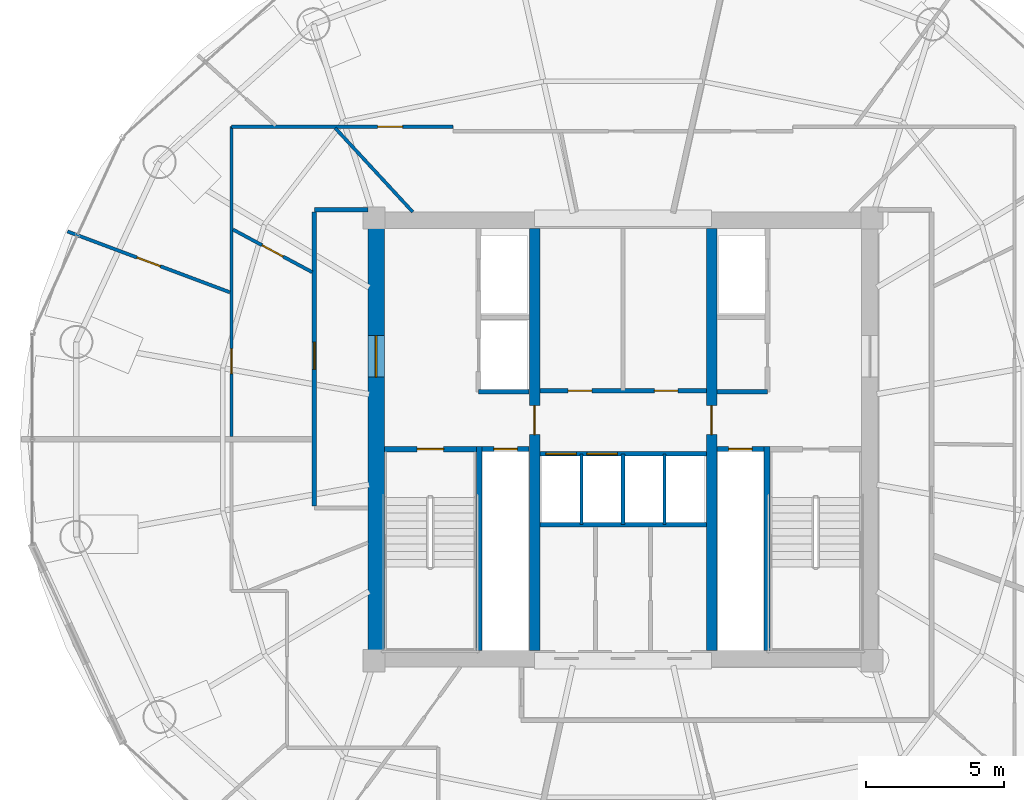
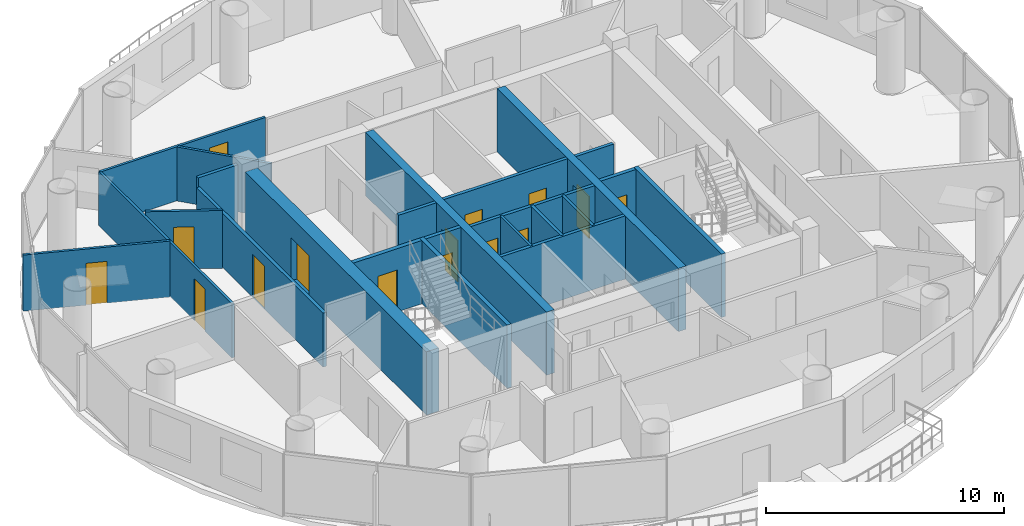
# One storey, part 21 of 26: 23 walls, 15 doors, 15 openings.
"""IFC4 building model written with IfcOpenShell, lengths in metres."""

from ifc_helpers import new_model, si_unit, direction, frame, frame_2d, origin, place, context, subcontext, project, spatial, rectangle, extrude, source, transform, mapped, material, layer, layer_set, type_object, element, fill, save


model = new_model("IFC4")

# Units and contexts
model_context = context("Model", 3, precision=1e-05, world=origin(), true_north=direction((-0.2419218956, 0.970295726276)))
body_context = subcontext(model_context, "Body", "Model", "MODEL_VIEW")
ifc_project = project(units=[si_unit("LENGTHUNIT", "METRE"), si_unit("AREAUNIT", "SQUARE_METRE"), si_unit("VOLUMEUNIT", "CUBIC_METRE"), si_unit("PLANEANGLEUNIT", "RADIAN"), si_unit("MASSUNIT", "GRAM", prefix="KILO")], contexts=[model_context])

# Site, building, storey
site_placement = place(None, origin())
site = spatial("IfcSite", under=ifc_project, at=site_placement, CompositionType="ELEMENT")
building_placement = place(site_placement, origin())
building = spatial("IfcBuilding", under=site, at=building_placement, Name="Cobrevalo Terracotta Tower", CompositionType="ELEMENT")
storey_placement = place(building_placement, frame((0.0, 0.0, 239.300048828125)))
storey = spatial("IfcBuildingStorey", under=building, at=storey_placement, Name="L63", CompositionType="ELEMENT", Elevation=239.300048828125)

# Wall, opening, door
ifc_material_1 = material(Name="Concrete C55", Category="concrete")
ifc_layer_1 = layer(ifc_material_1, 0.60009765625)
ifc_layer_set_1 = layer_set([ifc_layer_1], Name="Concrete C55")
wall_type_1 = type_object("IfcWallType", Name="Core shear wall 600 mm Concrete C55", PredefinedType="SHEAR", material=ifc_layer_set_1)
wall_1_placement = place(storey_placement, frame((29.074951171875, 19.175048828125, 0.0), z_axis=(0.0, 0.0, 1.0), x_axis=(0.0, 1.0, 0.0)))
wall_1 = element("IfcWall", 1, at=wall_1_placement, inside=storey, type_object=wall_type_1, Name="L63 west core shear wall", PredefinedType="SHEAR", context=body_context, shape_type="SweptSolid", body=[
    extrude(rectangle(XDim=15.25, YDim=0.60009765625, at=frame_2d((7.625, 0.0))), origin(), (0.0, 0.0, 1.0), 3.25),
])
opening_1_placement = place(wall_1_placement, frame((9.875, 0.0, 0.0)))
opening_1 = element("IfcOpeningElement", 2, at=opening_1_placement, cuts=wall_1, Name="Opening ID-14", PredefinedType="OPENING", context=body_context, shape_type="SweptSolid", body=[
    extrude(rectangle(XDim=1.5, YDim=2.199951171875, at=frame_2d((0.75, 1.10009765625))), frame((0.0, 0.31005859375, 0.0), z_axis=(0.0, -1.0, 0.0), x_axis=(1.0, 0.0, 0.0)), (0.0, 0.0, 1.0), 0.6201171875),
])
ifc_material_2 = material(Name="Galvanized fire-rated steel", Category="steel")
door_type_1 = type_object("IfcDoorType", Name="Core cross-lobby double fire door 1500x2200 EI 90", OperationType="NOTDEFINED", PredefinedType="DOOR", material=ifc_material_2)
shared_shape_1 = source(origin(), body_context, "Body", "SweptSolid", [
    extrude(rectangle(XDim=1.5, YDim=2.199951171875, at=frame_2d((0.75, 1.10009765625))), frame((0.0, 0.02490234375, 0.0), z_axis=(0.0, -1.0, 0.0), x_axis=(1.0, 0.0, 0.0)), (0.0, 0.0, 1.0), 0.050048828125),
])
door_1_placement = place(opening_1_placement, origin())
door_1 = element("IfcDoor", 3, at=door_1_placement, inside=storey, type_object=door_type_1, Name="L63 west firefighting lobby entrance door", OperationType="DOUBLE_DOOR_SINGLE_SWING", OverallHeight=2.199951171875, OverallWidth=1.5, PredefinedType="DOOR", context=body_context, shape_type="MappedRepresentation", body=[
    mapped(shared_shape_1, transform((0.0, 0.0, 0.0), scale=1.0)),
])
fill(opening_1, door_1)

# Walls
ifc_material_3 = material(Name="Gypsum board on steel stud", Category="steel")
ifc_layer_2 = layer(ifc_material_3, 0.159912109375)
ifc_layer_set_2 = layer_set([ifc_layer_2], Name="Gypsum board on steel stud")
wall_type_2 = type_object("IfcWallType", Name="Fire-rated corridor acoustic partition wall 160 mm", PredefinedType="PARTITIONING", material=ifc_layer_set_2)
for number, where, z_axis, x_axis, name in (
    (4, (32.77001953125, 28.52001953125, 0.0), (0.0, 0.0, 1.0), (1.0, 0.0, 0.0), "L63 interior partition IW-L63-FF1-S"),
    (5, (41.389892578125, 28.52001953125, 0.0), (0.0, 0.0, 1.0), (1.0, 0.0, 0.0), "L63 interior partition IW-L63-FF2-S"),
):
    element("IfcWall", number, at=place(storey_placement, frame(where, z_axis=z_axis, x_axis=x_axis)), inside=storey, type_object=wall_type_2, Name=name, PredefinedType="PARTITIONING", context=body_context, shape_type="SweptSolid", body=[
        extrude(rectangle(XDim=1.840087890625, YDim=0.159912109375, at=frame_2d((0.919921875, 0.0))), origin(), (0.0, 0.0, 1.0), 3.25),
    ])

# Wall, openings, doors
wall_2_placement = place(storey_placement, frame((34.989990234375, 28.56005859375, 0.0), z_axis=(0.0, 0.0, 1.0), x_axis=(1.0, 0.0, 0.0)))
wall_2 = element("IfcWall", 6, at=wall_2_placement, inside=storey, type_object=wall_type_2, Name="L63 interior partition IW-L63-LB-S", PredefinedType="PARTITIONING", context=body_context, shape_type="SweptSolid", body=[
    extrude(rectangle(XDim=6.02001953125, YDim=0.159912109375, at=frame_2d((3.010009765625, 0.0))), origin(), (0.0, 0.0, 1.0), 3.25),
])
opening_2_placement = place(wall_2_placement, frame((1.02490234375, 0.0, 0.0)))
opening_2 = element("IfcOpeningElement", 7, at=opening_2_placement, cuts=wall_2, Name="Opening ID-07", PredefinedType="OPENING", context=body_context, shape_type="SweptSolid", body=[
    extrude(rectangle(XDim=0.860107421875, YDim=2.10009765625, at=frame_2d((0.43017578125, 1.050048828125))), frame((0.0, 0.08984375, 0.0), z_axis=(0.0, -1.0, 0.0), x_axis=(1.0, 0.0, 0.0)), (0.0, 0.0, 1.0), 0.179931640625),
])
opening_3_placement = place(wall_2_placement, frame((4.139892578125, 0.0, 0.0)))
opening_3 = element("IfcOpeningElement", 8, at=opening_3_placement, cuts=wall_2, Name="Opening ID-22", PredefinedType="OPENING", context=body_context, shape_type="SweptSolid", body=[
    extrude(rectangle(XDim=0.85009765625, YDim=2.10009765625, at=frame_2d((0.425048828125, 1.050048828125))), frame((0.0, 0.08984375, 0.0), z_axis=(0.0, -1.0, 0.0), x_axis=(1.0, 0.0, 0.0)), (0.0, 0.0, 1.0), 0.179931640625),
])
ifc_material_4 = material(Name="Powder-coated steel", Category="steel")
door_type_2 = type_object("IfcDoorType", Name="Riser shaft & meter closet fire access door 850x2100 EI 60", OperationType="NOTDEFINED", PredefinedType="DOOR", material=ifc_material_4)
shared_shape_2 = source(origin(), body_context, "Body", "SweptSolid", [
    extrude(rectangle(XDim=0.85009765625, YDim=2.10009765625, at=frame_2d((0.425048828125, 1.050048828125))), frame((0.0, 0.02490234375, 0.0), z_axis=(0.0, -1.0, 0.0), x_axis=(1.0, 0.0, 0.0)), (0.0, 0.0, 1.0), 0.050048828125),
])
door_2_placement = place(opening_3_placement, origin())
door_2 = element("IfcDoor", 9, at=door_2_placement, inside=storey, type_object=door_type_2, Name="L63 core service door Floor Telecom and Metering Plant", OperationType="SINGLE_SWING_RIGHT", OverallHeight=2.10009765625, OverallWidth=0.85009765625, PredefinedType="DOOR", context=body_context, shape_type="MappedRepresentation", body=[
    mapped(shared_shape_2, transform((0.0, 0.0, 0.0), scale=1.0)),
])
fill(opening_3, door_2)
ifc_material_5 = material(Name="Fire-rated moisture-sealed timber", Category="wood")
door_type_3 = type_object("IfcDoorType", Name="Core & podium fire-rated accessible WC door 860x2100 EI 60", OperationType="NOTDEFINED", PredefinedType="DOOR", material=ifc_material_5)
shared_shape_3 = source(origin(), body_context, "Body", "SweptSolid", [
    extrude(rectangle(XDim=0.860107421875, YDim=2.10009765625, at=frame_2d((0.43017578125, 1.050048828125))), frame((0.0, 0.02490234375, 0.0), z_axis=(0.0, -1.0, 0.0), x_axis=(1.0, 0.0, 0.0)), (0.0, 0.0, 1.0), 0.050048828125),
])
door_3_placement = place(opening_2_placement, origin())
door_3 = element("IfcDoor", 10, at=door_3_placement, inside=storey, type_object=door_type_3, Name="L63 core service door Core Accessible Toilet WC", OperationType="SINGLE_SWING_LEFT", OverallHeight=2.10009765625, OverallWidth=0.860107421875, PredefinedType="DOOR", context=body_context, shape_type="MappedRepresentation", body=[
    mapped(shared_shape_3, transform((0.0, 0.0, 0.0), scale=1.0)),
])
fill(opening_2, door_3)

wall_3_placement = place(storey_placement, frame((34.989990234375, 26.280029296875, 0.0), z_axis=(0.0, 0.0, 1.0), x_axis=(1.0, 0.0, 0.0)))
wall_3 = element("IfcWall", 11, at=wall_3_placement, inside=storey, type_object=wall_type_2, Name="L63 interior partition IW-L63-MB-N", PredefinedType="PARTITIONING", context=body_context, shape_type="SweptSolid", body=[
    extrude(rectangle(XDim=6.02001953125, YDim=0.159912109375, at=frame_2d((3.010009765625, 0.0))), origin(), (0.0, 0.0, 1.0), 3.25),
])
opening_4_placement = place(wall_3_placement, frame((0.22509765625, 0.0, 0.0)))
opening_4 = element("IfcOpeningElement", 12, at=opening_4_placement, cuts=wall_3, Name="Opening LD-01", PredefinedType="OPENING", context=body_context, shape_type="SweptSolid", body=[
    extrude(rectangle(XDim=1.10009765625, YDim=2.199951171875, at=frame_2d((0.550048828125, 1.10009765625))), frame((0.0, 0.08984375, 0.0), z_axis=(0.0, -1.0, 0.0), x_axis=(1.0, 0.0, 0.0)), (0.0, 0.0, 1.0), 0.179931640625),
])
opening_5_placement = place(wall_3_placement, frame((1.705078125, 0.0, 0.0)))
opening_5 = element("IfcOpeningElement", 13, at=opening_5_placement, cuts=wall_3, Name="Opening LD-01", PredefinedType="OPENING", context=body_context, shape_type="SweptSolid", body=[
    extrude(rectangle(XDim=1.10009765625, YDim=2.199951171875, at=frame_2d((0.550048828125, 1.10009765625))), frame((0.0, 0.08984375, 0.0), z_axis=(0.0, -1.0, 0.0), x_axis=(1.0, 0.0, 0.0)), (0.0, 0.0, 1.0), 0.179931640625),
])
ifc_material_6 = material(Name="Brushed stainless steel", Category="steel")
door_type_4 = type_object("IfcDoorType", Name="Passenger lift landing bi-parting sliding door 1100x2200 EI 90", OperationType="DOUBLE_DOOR_SLIDING", PredefinedType="DOOR", material=ifc_material_6)
shared_shape_4 = source(origin(), body_context, "Body", "SweptSolid", [
    extrude(rectangle(XDim=1.10009765625, YDim=2.199951171875, at=frame_2d((0.550048828125, 1.10009765625))), frame((0.0, 0.02490234375, 0.0), z_axis=(0.0, -1.0, 0.0), x_axis=(1.0, 0.0, 0.0)), (0.0, 0.0, 1.0), 0.050048828125),
])
door_4_placement = place(opening_4_placement, origin())
door_4 = element("IfcDoor", 14, at=door_4_placement, inside=storey, type_object=door_type_4, Name="L63 lift landing door PL-M1", OperationType="DOUBLE_DOOR_SLIDING", OverallHeight=2.199951171875, OverallWidth=1.10009765625, PredefinedType="DOOR", context=body_context, shape_type="MappedRepresentation", body=[
    mapped(shared_shape_4, transform((0.0, 0.0, 0.0), scale=1.0)),
])
fill(opening_4, door_4)
door_5_placement = place(opening_5_placement, origin())
door_5 = element("IfcDoor", 15, at=door_5_placement, inside=storey, type_object=door_type_4, Name="L63 lift landing door PL-M2", OperationType="DOUBLE_DOOR_SLIDING", OverallHeight=2.199951171875, OverallWidth=1.10009765625, PredefinedType="DOOR", context=body_context, shape_type="MappedRepresentation", body=[
    mapped(shared_shape_4, transform((0.0, 0.0, 0.0), scale=1.0)),
])
fill(opening_5, door_5)

# Wall
wall_4_placement = place(storey_placement, frame((34.989990234375, 23.719970703125, 0.0), z_axis=(0.0, 0.0, 1.0), x_axis=(1.0, 0.0, 0.0)))
element("IfcWall", 16, at=wall_4_placement, inside=storey, type_object=wall_type_2, Name="L63 interior partition IW-L63-MB-S", PredefinedType="PARTITIONING", context=body_context, shape_type="SweptSolid", body=[
    extrude(rectangle(XDim=6.02001953125, YDim=0.159912109375, at=frame_2d((3.010009765625, 0.0))), origin(), (0.0, 0.0, 1.0), 3.25),
])

# Wall, opening, door
wall_5_placement = place(storey_placement, frame((26.844970703125, 24.39990234375, 0.0), z_axis=(0.0, 0.0, 1.0), x_axis=(0.0, 1.0, 0.0)))
wall_5 = element("IfcWall", 17, at=wall_5_placement, inside=storey, type_object=wall_type_2, Name="L63 interior partition IW-L63-COR-W", PredefinedType="PARTITIONING", context=body_context, shape_type="SweptSolid", body=[
    extrude(rectangle(XDim=10.625, YDim=0.159912109375, at=frame_2d((5.3125, 0.0))), origin(), (0.0, 0.0, 1.0), 2.77490234375),
])
opening_6_placement = place(wall_5_placement, frame((4.93603515625, 0.0, 0.0)))
opening_6 = element("IfcOpeningElement", 18, at=opening_6_placement, cuts=wall_5, Name="Opening ID-05", PredefinedType="OPENING", context=body_context, shape_type="SweptSolid", body=[
    extrude(rectangle(XDim=0.97998046875, YDim=2.199951171875, at=frame_2d((0.489990234375, 1.10009765625))), frame((0.0, 0.08984375, 0.0), z_axis=(0.0, -1.0, 0.0), x_axis=(1.0, 0.0, 0.0)), (0.0, 0.0, 1.0), 0.179931640625),
])
ifc_material_7 = material(Name="Solid hardwood timber", Category="wood")
door_type_5 = type_object("IfcDoorType", Name="Residence entrance fire-rated acoustic timber door 980x2200 EI 60", OperationType="NOTDEFINED", PredefinedType="DOOR", material=ifc_material_7)
shared_shape_5 = source(origin(), body_context, "Body", "SweptSolid", [
    extrude(rectangle(XDim=0.97998046875, YDim=2.199951171875, at=frame_2d((0.489990234375, 1.10009765625))), frame((0.0, 0.02490234375, 0.0), z_axis=(0.0, -1.0, 0.0), x_axis=(1.0, 0.0, 0.0)), (0.0, 0.0, 1.0), 0.050048828125),
])
door_6_placement = place(opening_6_placement, origin())
door_6 = element("IfcDoor", 19, at=door_6_placement, inside=storey, type_object=door_type_5, Name="Flat L63B fire-rated apartment entrance door", OperationType="SINGLE_SWING_RIGHT", OverallHeight=2.199951171875, OverallWidth=0.97998046875, PredefinedType="DOOR", context=body_context, shape_type="MappedRepresentation", body=[
    mapped(shared_shape_5, transform((0.0, 0.0, 0.0), scale=1.0)),
])
fill(opening_6, door_6)

# Wall
wall_6_placement = place(storey_placement, frame((26.844970703125, 35.10498046875, 0.0), z_axis=(0.0, 0.0, 1.0), x_axis=(1.0, 0.0, 0.0)))
element("IfcWall", 20, at=wall_6_placement, inside=storey, type_object=wall_type_2, Name="L63 interior partition IW-L63-COR-WN-CAP", PredefinedType="PARTITIONING", context=body_context, shape_type="SweptSolid", body=[
    extrude(rectangle(XDim=1.929931640625, YDim=0.159912109375, at=frame_2d((0.96484375, 0.0))), origin(), (0.0, 0.0, 1.0), 3.25),
])

# Wall, opening, door
ifc_layer_3 = layer(ifc_material_3, 0.179931640625)
ifc_layer_set_3 = layer_set([ifc_layer_3], Name="Gypsum board on steel stud")
wall_type_3 = type_object("IfcWallType", Name="Fire-rated shaft & lobby acoustic partition wall 180 mm", PredefinedType="PARTITIONING", material=ifc_layer_set_3)
wall_7_placement = place(storey_placement, frame((32.89990234375, 26.449951171875, 0.0), z_axis=(0.0, 0.0, 1.0), x_axis=(1.0, 0.0, 0.0)))
wall_7 = element("IfcWall", 21, at=wall_7_placement, inside=storey, type_object=wall_type_3, Name="L63 interior partition IW-L63-RSW-N", PredefinedType="PARTITIONING", context=body_context, shape_type="SweptSolid", body=[
    extrude(rectangle(XDim=1.710205078125, YDim=0.179931640625, at=frame_2d((0.85498046875, 0.0))), origin(), (0.0, 0.0, 1.0), 3.25),
])
opening_7_placement = place(wall_7_placement, frame((0.429931640625, 0.0, 0.0)))
opening_7 = element("IfcOpeningElement", 22, at=opening_7_placement, cuts=wall_7, Name="Opening ID-22", PredefinedType="OPENING", context=body_context, shape_type="SweptSolid", body=[
    extrude(rectangle(XDim=0.85009765625, YDim=2.10009765625, at=frame_2d((0.425048828125, 1.050048828125))), frame((0.0, 0.10009765625, 0.0), z_axis=(0.0, -1.0, 0.0), x_axis=(1.0, 0.0, 0.0)), (0.0, 0.0, 1.0), 0.199951171875),
])
door_7_placement = place(opening_7_placement, origin())
door_7 = element("IfcDoor", 23, at=door_7_placement, inside=storey, type_object=door_type_2, Name="L63 riser access door RSW", OperationType="SINGLE_SWING_LEFT", OverallHeight=2.10009765625, OverallWidth=0.85009765625, PredefinedType="DOOR", context=body_context, shape_type="MappedRepresentation", body=[
    mapped(shared_shape_2, transform((0.0, 0.0, 0.0), scale=1.0)),
])
fill(opening_7, door_7)

wall_8_placement = place(storey_placement, frame((41.389892578125, 26.449951171875, 0.0), z_axis=(0.0, 0.0, 1.0), x_axis=(1.0, 0.0, 0.0)))
wall_8 = element("IfcWall", 24, at=wall_8_placement, inside=storey, type_object=wall_type_3, Name="L63 interior partition IW-L63-RSE-N", PredefinedType="PARTITIONING", context=body_context, shape_type="SweptSolid", body=[
    extrude(rectangle(XDim=1.710205078125, YDim=0.179931640625, at=frame_2d((0.85498046875, 0.0))), origin(), (0.0, 0.0, 1.0), 3.25),
])
opening_8_placement = place(wall_8_placement, frame((0.429931640625, 0.0, 0.0)))
opening_8 = element("IfcOpeningElement", 25, at=opening_8_placement, cuts=wall_8, Name="Opening ID-22", PredefinedType="OPENING", context=body_context, shape_type="SweptSolid", body=[
    extrude(rectangle(XDim=0.85009765625, YDim=2.10009765625, at=frame_2d((0.425048828125, 1.050048828125))), frame((0.0, 0.10009765625, 0.0), z_axis=(0.0, -1.0, 0.0), x_axis=(1.0, 0.0, 0.0)), (0.0, 0.0, 1.0), 0.199951171875),
])
door_8_placement = place(opening_8_placement, origin())
door_8 = element("IfcDoor", 26, at=door_8_placement, inside=storey, type_object=door_type_2, Name="L63 riser access door RSE", OperationType="SINGLE_SWING_RIGHT", OverallHeight=2.10009765625, OverallWidth=0.85009765625, PredefinedType="DOOR", context=body_context, shape_type="MappedRepresentation", body=[
    mapped(shared_shape_2, transform((0.0, 0.0, 0.0), scale=1.0)),
])
fill(opening_8, door_8)

# Walls
ifc_material_8 = material(Name="Autoclaved aerated concrete block", Category="concrete")
ifc_layer_4 = layer(ifc_material_8, 0.1201171875)
ifc_layer_set_4 = layer_set([ifc_layer_4], Name="Autoclaved aerated concrete block")
wall_type_4 = type_object("IfcWallType", Name="Fire-rated wet-room & core service partition 120 mm", PredefinedType="PARTITIONING", material=ifc_layer_set_4)
for number, where, z_axis, x_axis, name in (
    (27, (36.5, 23.719970703125, 0.0), (0.0, 0.0, 1.0), (0.0, 1.0, 0.0), "L63 interior partition IW-L63-MB-D1"),
    (28, (39.5, 23.719970703125, 0.0), (0.0, 0.0, 1.0), (0.0, 1.0, 0.0), "L63 interior partition IW-L63-MB-D3"),
):
    element("IfcWall", number, at=place(storey_placement, frame(where, z_axis=z_axis, x_axis=x_axis)), inside=storey, type_object=wall_type_4, Name=name, PredefinedType="PARTITIONING", context=body_context, shape_type="SweptSolid", body=[
        extrude(rectangle(XDim=2.56005859375, YDim=0.1201171875, at=frame_2d((1.280029296875, 0.0))), origin(), (0.0, 0.0, 1.0), 3.25),
    ])

# Wall, opening, door
ifc_material_9 = material(Name="Concrete C50", Category="concrete")
ifc_layer_5 = layer(ifc_material_9, 0.3798828125)
ifc_layer_set_5 = layer_set([ifc_layer_5], Name="Concrete C50")
wall_type_5 = type_object("IfcWallType", Name="Internal core shear web wall 380 mm Concrete C50", PredefinedType="SHEAR", material=ifc_layer_set_5)
wall_9_placement = place(storey_placement, frame((34.800048828125, 19.175048828125, 0.0), z_axis=(0.0, 0.0, 1.0), x_axis=(0.0, 1.0, 0.0)))
wall_9 = element("IfcWall", 29, at=wall_9_placement, inside=storey, type_object=wall_type_5, Name="L63 internal core shear wall WEB-W", PredefinedType="SHEAR", context=body_context, shape_type="SweptSolid", body=[
    extrude(rectangle(XDim=15.25, YDim=0.3798828125, at=frame_2d((7.625, 0.0))), origin(), (0.0, 0.0, 1.0), 3.25),
])
opening_9_placement = place(wall_9_placement, frame((7.800048828125, 0.0, 0.0)))
opening_9 = element("IfcOpeningElement", 30, at=opening_9_placement, cuts=wall_9, Name="Opening ID-11", PredefinedType="OPENING", context=body_context, shape_type="SweptSolid", body=[
    extrude(rectangle(XDim=1.050048828125, YDim=2.14990234375, at=frame_2d((0.52490234375, 1.074951171875))), frame((0.0, 0.199951171875, 0.0), z_axis=(0.0, -1.0, 0.0), x_axis=(1.0, 0.0, 0.0)), (0.0, 0.0, 1.0), 0.39990234375),
])
door_type_6 = type_object("IfcDoorType", Name="Core concourse cross fire door 1050x2150 EI 90", OperationType="NOTDEFINED", PredefinedType="DOOR", material=ifc_material_2)
shared_shape_6 = source(origin(), body_context, "Body", "SweptSolid", [
    extrude(rectangle(XDim=1.050048828125, YDim=2.14990234375, at=frame_2d((0.52490234375, 1.074951171875))), frame((0.0, 0.02490234375, 0.0), z_axis=(0.0, -1.0, 0.0), x_axis=(1.0, 0.0, 0.0)), (0.0, 0.0, 1.0), 0.050048828125),
])
door_9_placement = place(opening_9_placement, origin())
door_9 = element("IfcDoor", 31, at=door_9_placement, inside=storey, type_object=door_type_6, Name="L63 west core concourse cross door", OperationType="SINGLE_SWING_LEFT", OverallHeight=2.14990234375, OverallWidth=1.050048828125, PredefinedType="DOOR", context=body_context, shape_type="MappedRepresentation", body=[
    mapped(shared_shape_6, transform((0.0, 0.0, 0.0), scale=1.0)),
])
fill(opening_9, door_9)

wall_10_placement = place(storey_placement, frame((41.199951171875, 19.175048828125, 0.0), z_axis=(0.0, 0.0, 1.0), x_axis=(0.0, 1.0, 0.0)))
wall_10 = element("IfcWall", 32, at=wall_10_placement, inside=storey, type_object=wall_type_5, Name="L63 internal core shear wall WEB-E", PredefinedType="SHEAR", context=body_context, shape_type="SweptSolid", body=[
    extrude(rectangle(XDim=15.25, YDim=0.3798828125, at=frame_2d((7.625, 0.0))), origin(), (0.0, 0.0, 1.0), 3.25),
])
opening_10_placement = place(wall_10_placement, frame((7.800048828125, 0.0, 0.0)))
opening_10 = element("IfcOpeningElement", 33, at=opening_10_placement, cuts=wall_10, Name="Opening ID-11", PredefinedType="OPENING", context=body_context, shape_type="SweptSolid", body=[
    extrude(rectangle(XDim=1.050048828125, YDim=2.14990234375, at=frame_2d((0.52490234375, 1.074951171875))), frame((0.0, 0.199951171875, 0.0), z_axis=(0.0, -1.0, 0.0), x_axis=(1.0, 0.0, 0.0)), (0.0, 0.0, 1.0), 0.39990234375),
])
door_10_placement = place(opening_10_placement, frame((1.050048828125, 0.0, 0.0), z_axis=(0.0, 0.0, 1.0), x_axis=(-1.0, 0.0, 0.0)))
door_10 = element("IfcDoor", 34, at=door_10_placement, inside=storey, type_object=door_type_6, Name="L63 east core concourse cross door", OperationType="SINGLE_SWING_RIGHT", OverallHeight=2.14990234375, OverallWidth=1.050048828125, PredefinedType="DOOR", context=body_context, shape_type="MappedRepresentation", body=[
    mapped(shared_shape_6, transform((0.0, 0.0, 0.0), scale=1.0)),
])
fill(opening_10, door_10)

# Wall
ifc_layer_6 = layer(ifc_material_8, 0.139892578125)
ifc_layer_set_6 = layer_set([ifc_layer_6], Name="Autoclaved aerated concrete block")
wall_type_6 = type_object("IfcWallType", Name="Moisture-resistant wet-room & core service partition 140 mm", PredefinedType="PARTITIONING", material=ifc_layer_set_6)
wall_11_placement = place(storey_placement, frame((38.0, 23.719970703125, 0.0), z_axis=(0.0, 0.0, 1.0), x_axis=(0.0, 1.0, 0.0)))
element("IfcWall", 35, at=wall_11_placement, inside=storey, type_object=wall_type_6, Name="L63 interior partition IW-L63-MB-D2", PredefinedType="PARTITIONING", context=body_context, shape_type="SweptSolid", body=[
    extrude(rectangle(XDim=2.56005859375, YDim=0.139892578125, at=frame_2d((1.280029296875, 0.0))), origin(), (0.0, 0.0, 1.0), 3.25),
])

# Wall, opening, door
ifc_layer_7 = layer(ifc_material_3, 0.1201171875)
ifc_layer_set_7 = layer_set([ifc_layer_7], Name="Gypsum board on steel stud")
wall_type_7 = type_object("IfcWallType", Name="Residential internal acoustic stud partition 120 mm", PredefinedType="PARTITIONING", material=ifc_layer_set_7)
wall_12_placement = place(storey_placement, frame((23.844970703125, 26.902099609375, 0.0), z_axis=(0.0, 0.0, 1.0), x_axis=(0.0, 1.0, 0.0)))
wall_12 = element("IfcWall", 36, at=wall_12_placement, inside=storey, type_object=wall_type_7, Name="L63 interior partition IW-L63-U2-RING0_0", PredefinedType="PARTITIONING", context=body_context, shape_type="SweptSolid", body=[
    extrude(rectangle(XDim=11.202880859375, YDim=0.1201171875, at=frame_2d((5.6015625, 0.0))), origin(), (0.0, 0.0, 1.0), 2.77490234375),
])
opening_11_placement = place(wall_12_placement, frame((2.2763671875, 0.0, 0.0)))
opening_11 = element("IfcOpeningElement", 37, at=opening_11_placement, cuts=wall_12, Name="Opening ID-12", PredefinedType="OPENING", context=body_context, shape_type="SweptSolid", body=[
    extrude(rectangle(XDim=0.89990234375, YDim=2.14990234375, at=frame_2d((0.449951171875, 1.074951171875))), frame((0.0, 0.070068359375, 0.0), z_axis=(0.0, -1.0, 0.0), x_axis=(1.0, 0.0, 0.0)), (0.0, 0.0, 1.0), 0.14013671875),
])
ifc_material_10 = material(Name="Engineered timber", Category="wood")
door_type_7 = type_object("IfcDoorType", Name="Internal residence & suite timber door 900x2150", OperationType="NOTDEFINED", PredefinedType="DOOR", material=ifc_material_10)
shared_shape_7 = source(origin(), body_context, "Body", "SweptSolid", [
    extrude(rectangle(XDim=0.89990234375, YDim=2.14990234375, at=frame_2d((0.449951171875, 1.074951171875))), frame((0.0, 0.02490234375, 0.0), z_axis=(0.0, -1.0, 0.0), x_axis=(1.0, 0.0, 0.0)), (0.0, 0.0, 1.0), 0.050048828125),
])
door_11_placement = place(opening_11_placement, origin())
door_11 = element("IfcDoor", 38, at=door_11_placement, inside=storey, type_object=door_type_7, Name="Flat L63B Penthouse Family Lounge internal door", OperationType="SINGLE_SWING_RIGHT", OverallHeight=2.14990234375, OverallWidth=0.89990234375, PredefinedType="DOOR", context=body_context, shape_type="MappedRepresentation", body=[
    mapped(shared_shape_7, transform((0.0, 0.0, 0.0), scale=1.0)),
])
fill(opening_11, door_11)

wall_13_placement = place(storey_placement, frame((23.844970703125, 38.10498046875, 0.0), z_axis=(0.0, 0.0, 1.0), x_axis=(1.0, 0.0, 0.0)))
wall_13 = element("IfcWall", 39, at=wall_13_placement, inside=storey, type_object=wall_type_7, Name="L63 interior partition IW-L63-U2-RING1_0", PredefinedType="PARTITIONING", context=body_context, shape_type="SweptSolid", body=[
    extrude(rectangle(XDim=8.010009765625, YDim=0.1201171875, at=frame_2d((4.0048828125, 0.0))), origin(), (0.0, 0.0, 1.0), 2.77490234375),
])
opening_12_placement = place(wall_13_placement, frame((5.287841796875, 0.0, 0.0)))
opening_12 = element("IfcOpeningElement", 40, at=opening_12_placement, cuts=wall_13, Name="Opening ID-12", PredefinedType="OPENING", context=body_context, shape_type="SweptSolid", body=[
    extrude(rectangle(XDim=0.89990234375, YDim=2.14990234375, at=frame_2d((0.449951171875, 1.074951171875))), frame((0.0, 0.070068359375, 0.0), z_axis=(0.0, -1.0, 0.0), x_axis=(1.0, 0.0, 0.0)), (0.0, 0.0, 1.0), 0.14013671875),
])
door_12_placement = place(opening_12_placement, frame((0.89990234375, 0.0, 0.0), z_axis=(0.0, 0.0, 1.0), x_axis=(-1.0, 0.0, 0.0)))
door_12 = element("IfcDoor", 41, at=door_12_placement, inside=storey, type_object=door_type_7, Name="Flat L63B Kitchen internal door", OperationType="SINGLE_SWING_LEFT", OverallHeight=2.14990234375, OverallWidth=0.89990234375, PredefinedType="DOOR", context=body_context, shape_type="MappedRepresentation", body=[
    mapped(shared_shape_7, transform((0.0, 0.0, 0.0), scale=1.0)),
])
fill(opening_12, door_12)

wall_14_placement = place(storey_placement, frame((23.786865234375, 32.1201171875, 0.0), z_axis=(0.0, 0.0, 1.0), x_axis=(-0.936540304423, 0.35055992097, 0.0)))
wall_14 = element("IfcWall", 42, at=wall_14_placement, inside=storey, type_object=wall_type_7, Name="L63 interior partition IW-L63-U2-ORAD2M1", PredefinedType="PARTITIONING", context=body_context, shape_type="SweptSolid", body=[
    extrude(rectangle(XDim=6.267822265625, YDim=0.1201171875, at=frame_2d((3.1337890625, 0.0))), origin(), (0.0, 0.0, 1.0), 2.880859375),
])
opening_13_placement = place(wall_14_placement, frame((2.68408203125, 0.0, 0.0)))
opening_13 = element("IfcOpeningElement", 43, at=opening_13_placement, cuts=wall_14, Name="Opening ID-12", PredefinedType="OPENING", context=body_context, shape_type="SweptSolid", body=[
    extrude(rectangle(XDim=0.89990234375, YDim=2.14990234375, at=frame_2d((0.449951171875, 1.074951171875))), frame((0.0, 0.070068359375, 0.0), z_axis=(0.0, -1.0, 0.0), x_axis=(1.0, 0.0, 0.0)), (0.0, 0.0, 1.0), 0.14013671875),
])
door_13_placement = place(opening_13_placement, frame((0.89990234375, 0.0, 0.0), z_axis=(0.0, 0.0, 1.0), x_axis=(-1.0, 0.0, 0.0)))
door_13 = element("IfcDoor", 44, at=door_13_placement, inside=storey, type_object=door_type_7, Name="Flat L63B Master Bedroom internal door", OperationType="SINGLE_SWING_LEFT", OverallHeight=2.14990234375, OverallWidth=0.89990234375, PredefinedType="DOOR", context=body_context, shape_type="MappedRepresentation", body=[
    mapped(shared_shape_7, transform((0.0, 0.0, 0.0), scale=1.0)),
])
fill(opening_13, door_13)

# Wall
wall_15_placement = place(storey_placement, frame((30.39599609375, 35.0263671875, 0.0), z_axis=(0.0, 0.0, 1.0), x_axis=(-0.678748871003, 0.73437045836, 0.0)))
element("IfcWall", 45, at=wall_15_placement, inside=storey, type_object=wall_type_7, Name="L63 interior partition IW-L63-U2-IRAD2", PredefinedType="PARTITIONING", context=body_context, shape_type="SweptSolid", body=[
    extrude(rectangle(XDim=4.13037109375, YDim=0.1201171875, at=frame_2d((2.065185546875, 0.0))), origin(), (0.0, 0.0, 1.0), 2.77490234375),
])

# Wall, opening, door
wall_16_placement = place(storey_placement, frame((26.764892578125, 32.845458984375, 0.0), z_axis=(0.0, 0.0, 1.0), x_axis=(-0.88057708661, 0.473902937886, 0.0)))
wall_16 = element("IfcWall", 46, at=wall_16_placement, inside=storey, type_object=wall_type_7, Name="L63 interior partition IW-L63-U2-IRAD3", PredefinedType="PARTITIONING", context=body_context, shape_type="SweptSolid", body=[
    extrude(rectangle(XDim=3.25390625, YDim=0.1201171875, at=frame_2d((1.626953125, 0.0))), origin(), (0.0, 0.0, 1.0), 2.968994140625),
])
opening_14_placement = place(wall_16_placement, frame((1.197021484375, 0.0, 0.0)))
opening_14 = element("IfcOpeningElement", 47, at=opening_14_placement, cuts=wall_16, Name="Opening ID-19", PredefinedType="OPENING", context=body_context, shape_type="SweptSolid", body=[
    extrude(rectangle(XDim=0.860107421875, YDim=2.14990234375, at=frame_2d((0.43017578125, 1.074951171875))), frame((0.0, 0.070068359375, 0.0), z_axis=(0.0, -1.0, 0.0), x_axis=(1.0, 0.0, 0.0)), (0.0, 0.0, 1.0), 0.14013671875),
])
ifc_material_11 = material(Name="Moisture-sealed timber", Category="wood")
door_type_8 = type_object("IfcDoorType", Name="Suite bathroom internal timber door 860x2150", OperationType="NOTDEFINED", PredefinedType="DOOR", material=ifc_material_11)
shared_shape_8 = source(origin(), body_context, "Body", "SweptSolid", [
    extrude(rectangle(XDim=0.860107421875, YDim=2.14990234375, at=frame_2d((0.43017578125, 1.074951171875))), frame((0.0, 0.02490234375, 0.0), z_axis=(0.0, -1.0, 0.0), x_axis=(1.0, 0.0, 0.0)), (0.0, 0.0, 1.0), 0.050048828125),
])
door_14_placement = place(opening_14_placement, frame((0.860107421875, 0.0, 0.0), z_axis=(0.0, 0.0, 1.0), x_axis=(-1.0, 0.0, 0.0)))
door_14 = element("IfcDoor", 48, at=door_14_placement, inside=storey, type_object=door_type_8, Name="Flat L63B Primary Bathroom internal door", OperationType="SINGLE_SWING_LEFT", OverallHeight=2.14990234375, OverallWidth=0.860107421875, PredefinedType="DOOR", context=body_context, shape_type="MappedRepresentation", body=[
    mapped(shared_shape_8, transform((0.0, 0.0, 0.0), scale=1.0)),
])
fill(opening_14, door_14)

# Wall
ifc_layer_8 = layer(ifc_material_9, 0.199951171875)
ifc_layer_set_8 = layer_set([ifc_layer_8], Name="Concrete C50")
wall_type_8 = type_object("IfcWallType", Name="Structural core & podium stair-shaft RC wall 200 mm Concrete C50", PredefinedType="SOLIDWALL", material=ifc_layer_set_8)
wall_17_placement = place(storey_placement, frame((32.794921875, 19.175048828125, 0.0), z_axis=(0.0, 0.0, 1.0), x_axis=(0.0, 1.0, 0.0)))
element("IfcWall", 49, at=wall_17_placement, inside=storey, type_object=wall_type_8, Name="L63 ST-1 east structural shaft wall", PredefinedType="SOLIDWALL", context=body_context, shape_type="SweptSolid", body=[
    extrude(rectangle(XDim=7.375, YDim=0.199951171875, at=frame_2d((3.6875, 0.0))), origin(), (0.0, 0.0, 1.0), 3.25),
])

# Wall, opening, door
wall_18_placement = place(storey_placement, frame((29.375, 26.449951171875, 0.0), z_axis=(0.0, 0.0, 1.0), x_axis=(1.0, 0.0, 0.0)))
wall_18 = element("IfcWall", 50, at=wall_18_placement, inside=storey, type_object=wall_type_8, Name="L63 ST-1 north structural shaft wall", PredefinedType="SOLIDWALL", context=body_context, shape_type="SweptSolid", body=[
    extrude(rectangle(XDim=3.320068359375, YDim=0.199951171875, at=frame_2d((1.66015625, 0.0))), origin(), (0.0, 0.0, 1.0), 3.25),
])
opening_15_placement = place(wall_18_placement, frame((1.18505859375, 0.0, 0.0)))
opening_15 = element("IfcOpeningElement", 51, at=opening_15_placement, cuts=wall_18, Name="Opening ID-04", PredefinedType="OPENING", context=body_context, shape_type="SweptSolid", body=[
    extrude(rectangle(XDim=0.949951171875, YDim=2.14990234375, at=frame_2d((0.47509765625, 1.074951171875))), frame((0.0, 0.10986328125, 0.0), z_axis=(0.0, -1.0, 0.0), x_axis=(1.0, 0.0, 0.0)), (0.0, 0.0, 1.0), 0.219970703125),
])
door_type_9 = type_object("IfcDoorType", Name="Stair & firefighting lobby fire door 950x2150 EI 90", OperationType="NOTDEFINED", PredefinedType="DOOR", material=ifc_material_2)
shared_shape_9 = source(origin(), body_context, "Body", "SweptSolid", [
    extrude(rectangle(XDim=0.949951171875, YDim=2.14990234375, at=frame_2d((0.47509765625, 1.074951171875))), frame((0.0, 0.02490234375, 0.0), z_axis=(0.0, -1.0, 0.0), x_axis=(1.0, 0.0, 0.0)), (0.0, 0.0, 1.0), 0.050048828125),
])
door_15_placement = place(opening_15_placement, origin())
door_15 = element("IfcDoor", 52, at=door_15_placement, inside=storey, type_object=door_type_9, Name="L63 protected stair ST1 fire door", OperationType="SINGLE_SWING_LEFT", OverallHeight=2.14990234375, OverallWidth=0.949951171875, PredefinedType="DOOR", context=body_context, shape_type="MappedRepresentation", body=[
    mapped(shared_shape_9, transform((0.0, 0.0, 0.0), scale=1.0)),
])
fill(opening_15, door_15)

# Wall
wall_19_placement = place(storey_placement, frame((43.205078125, 19.175048828125, 0.0), z_axis=(0.0, 0.0, 1.0), x_axis=(0.0, 1.0, 0.0)))
element("IfcWall", 53, at=wall_19_placement, inside=storey, type_object=wall_type_8, Name="L63 ST-2 west structural shaft wall", PredefinedType="SOLIDWALL", context=body_context, shape_type="SweptSolid", body=[
    extrude(rectangle(XDim=7.375, YDim=0.199951171875, at=frame_2d((3.6875, 0.0))), origin(), (0.0, 0.0, 1.0), 3.25),
])

save(model, "model.ifc")
